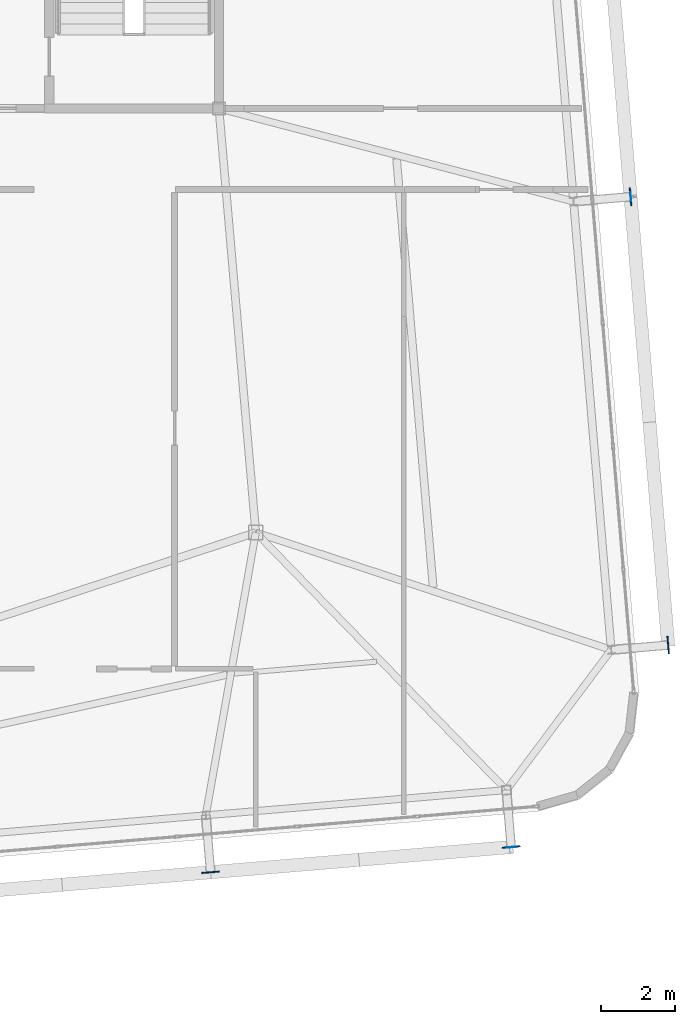
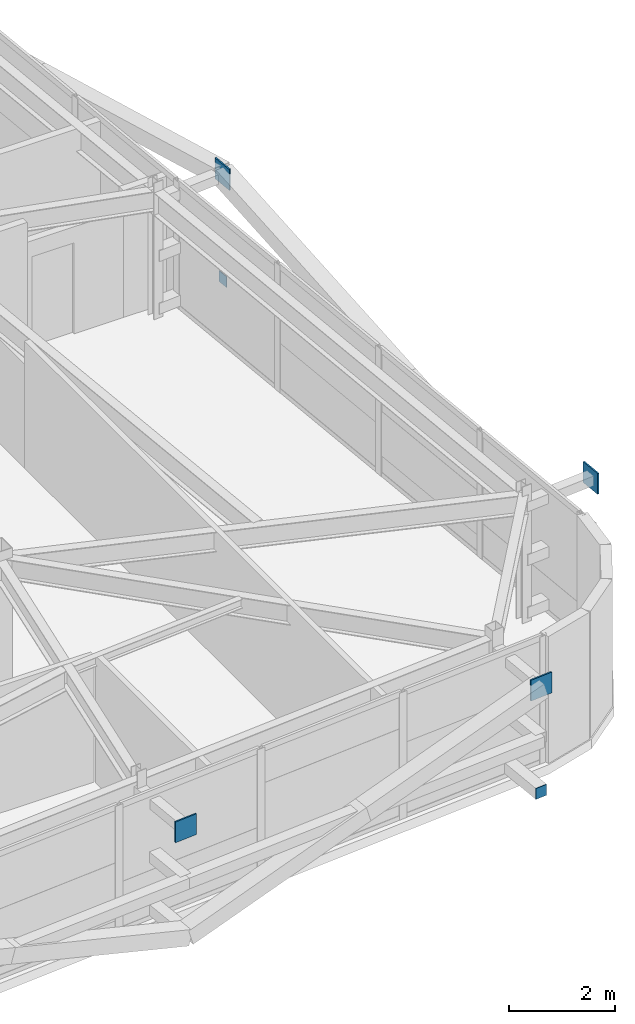
# One storey, part 37 of 44: 6 plates.
"""IFC4 building model written with IfcOpenShell, lengths in metres."""

import ifcopenshell
import ifcopenshell.guid

model = None  # the IFC model being written
_history = None  # IfcOwnerHistory: only IFC2X3 demands one
_inside = {}  # id of a spatial element -> (the spatial element, [elements in it])
_under = {}  # id of a project, library or spatial element -> (it, [spatial elements below it])
_declared = {}  # id of a project -> (the project, [libraries it declares])
_typed = {}  # id of a type object -> (the type object, [elements of that type])
_made_of = {}  # id of a material, layer set ... -> (it, [elements and type objects made of it])


def new_model(schema):
    """Start an empty IFC model of exactly this schema.

    Asked for "IFC4X3", IfcOpenShell would pick the latest addendum, in which some entities
    have other attributes; the version numbers below select the first issue.
    IFC2X3 requires an IfcOwnerHistory on every rooted entity: one is made here for all.
    """
    global model, _history
    if schema == "IFC4X3":
        model = ifcopenshell.file(schema_version=(4, 3, 0, 0))
    else:
        model = ifcopenshell.file(schema=schema)
    _inside.clear()
    _under.clear()
    _declared.clear()
    _typed.clear()
    _made_of.clear()
    _history = None
    if model.schema == "IFC2X3":
        org = make("IfcOrganization", Name="unknown")
        user = make(
            "IfcPersonAndOrganization",
            ThePerson=make("IfcPerson", FamilyName="unknown"),
            TheOrganization=org,
        )
        app = make(
            "IfcApplication",
            ApplicationDeveloper=org,
            Version="unknown",
            ApplicationFullName="unknown",
            ApplicationIdentifier="unknown",
        )
        _history = make(
            "IfcOwnerHistory",
            OwningUser=user,
            OwningApplication=app,
            ChangeAction="ADDED",
            CreationDate=0,
        )
    return model


def make(cls, **values):
    """One entity of the class cls with the attributes given. An attribute that is None is left unset."""
    return model.create_entity(
        cls, **{name: value for name, value in values.items() if value is not None}
    )


def rooted(cls, **values):
    """An entity with a GlobalId (a new one), such as an element, a storey or a relation."""
    return make(cls, GlobalId=ifcopenshell.guid.new(), OwnerHistory=_history, **values)


def si_unit(unit_type, name, prefix=None):
    """IfcSIUnit, for example si_unit("LENGTHUNIT", "METRE", prefix="MILLI")."""
    return make("IfcSIUnit", UnitType=unit_type, Prefix=prefix, Name=name)


def assignment(units):
    """IfcUnitAssignment: the units of a project."""
    return None if units is None else make("IfcUnitAssignment", Units=units)


def point(xyz):
    """IfcCartesianPoint."""
    return None if xyz is None else make("IfcCartesianPoint", Coordinates=xyz)


def direction(xyz):
    """IfcDirection."""
    return None if xyz is None else make("IfcDirection", DirectionRatios=xyz)


def frame(location, z_axis=None, x_axis=None):
    """IfcAxis2Placement3D, a coordinate frame: its origin and axes. An axis left out is left unset."""
    return make(
        "IfcAxis2Placement3D",
        Location=point(location),
        Axis=direction(z_axis),
        RefDirection=direction(x_axis),
    )


def frame_2d(location, x_axis=None):
    """IfcAxis2Placement2D, a coordinate frame in the plane: its origin and x axis."""
    return make(
        "IfcAxis2Placement2D", Location=point(location), RefDirection=direction(x_axis)
    )


def origin():
    """The frame at (0, 0, 0) with its axes left unset."""
    return frame((0.0, 0.0, 0.0))


def origin_2d():
    """The frame at (0, 0) in the plane with its x axis left unset."""
    return frame_2d((0.0, 0.0))


def place(relative_to, where):
    """IfcLocalPlacement: puts the frame where relative to a parent placement (None: the world)."""
    return make(
        "IfcLocalPlacement", PlacementRelTo=relative_to, RelativePlacement=where
    )


def context(
    kind, dimensions, precision=None, world=None, true_north=None, identifier=None
):
    """IfcGeometricRepresentationContext, for example the 3D "Model" context."""
    return make(
        "IfcGeometricRepresentationContext",
        ContextIdentifier=identifier,
        ContextType=kind,
        CoordinateSpaceDimension=dimensions,
        Precision=precision,
        WorldCoordinateSystem=world,
        TrueNorth=true_north,
    )


def subcontext(parent, identifier, kind, view, scale=None):
    """IfcGeometricRepresentationSubContext, for example "Body" below "Model"."""
    return make(
        "IfcGeometricRepresentationSubContext",
        ContextIdentifier=identifier,
        ContextType=kind,
        ParentContext=parent,
        TargetScale=scale,
        TargetView=view,
    )


def project(units=None, contexts=None):
    """IfcProject with its units and contexts."""
    return rooted(
        "IfcProject",
        Name="project",
        RepresentationContexts=contexts,
        UnitsInContext=assignment(units),
    )


def spatial(cls, under=None, at=None, **own):
    """A site, building, storey or space (cls), placed at a placement, below another one or the project."""
    s = rooted(cls, ObjectPlacement=at, **own)
    if under is not None:
        _under.setdefault(under.id(), (under, []))[1].append(s)
    return s


def profile(cls, at=None, kind="AREA", **sizes):
    """A parametric profile (cls). Its sizes go by their IFC names, for example OverallWidth=200.0."""
    return make(cls, ProfileType=kind, Position=at, **sizes)


def rectangle(**sizes):
    """IfcRectangleProfileDef."""
    return profile("IfcRectangleProfileDef", **sizes)


def extrude(swept, where, along, depth):
    """IfcExtrudedAreaSolid: the profile swept, set in the frame where, extruded along a direction by depth."""
    return make(
        "IfcExtrudedAreaSolid",
        SweptArea=swept,
        Position=where,
        ExtrudedDirection=direction(along),
        Depth=depth,
    )


def shape(context_of_items, identifier, shape_type, items):
    """IfcShapeRepresentation: the items that make up one representation, for example the "Body"."""
    return make(
        "IfcShapeRepresentation",
        ContextOfItems=context_of_items,
        RepresentationIdentifier=identifier,
        RepresentationType=shape_type,
        Items=items,
    )


def source(mapping_origin, context_of_items, identifier, shape_type, items):
    """IfcRepresentationMap: a shape defined once, which mapped items show again and again."""
    return make(
        "IfcRepresentationMap",
        MappingOrigin=mapping_origin,
        MappedRepresentation=shape(context_of_items, identifier, shape_type, items),
    )


def transform(
    local_origin,
    x_axis=None,
    y_axis=None,
    z_axis=None,
    scale=None,
    scale2=None,
    scale3=None,
    uniform=True,
):
    """IfcCartesianTransformationOperator3D, or its non-uniform kind. x_axis, y_axis, z_axis: its Axis1, 2, 3."""
    if uniform:
        return make(
            "IfcCartesianTransformationOperator3D",
            Axis1=direction(x_axis),
            Axis2=direction(y_axis),
            LocalOrigin=point(local_origin),
            Scale=scale,
            Axis3=direction(z_axis),
        )
    return make(
        "IfcCartesianTransformationOperator3DnonUniform",
        Axis1=direction(x_axis),
        Axis2=direction(y_axis),
        LocalOrigin=point(local_origin),
        Scale=scale,
        Axis3=direction(z_axis),
        Scale2=scale2,
        Scale3=scale3,
    )


def mapped(mapping_source, mapping_target):
    """IfcMappedItem: shows the shape of a source again, moved by a transform."""
    return make(
        "IfcMappedItem", MappingSource=mapping_source, MappingTarget=mapping_target
    )


def material(Name=None, Category=None):
    """IfcMaterial."""
    return make("IfcMaterial", Name=Name, Category=Category)


def layer(
    of_material, thickness, ventilated=None, Name=None, Category=None, Priority=None
):
    """IfcMaterialLayer: one layer of a wall or slab, of a material (None: an air gap)."""
    return make(
        "IfcMaterialLayer",
        Material=of_material,
        LayerThickness=thickness,
        IsVentilated=ventilated,
        Name=Name,
        Category=Category,
        Priority=Priority,
    )


def layer_set(layers, Name=None):
    """IfcMaterialLayerSet."""
    return make("IfcMaterialLayerSet", MaterialLayers=layers, LayerSetName=Name)


def made_of(thing, what):
    """Note that an element or type object is made of a material, layer set ...; save() writes the relation."""
    if what is not None:
        _made_of.setdefault(what.id(), (what, []))[1].append(thing)
    return thing


def type_object(cls, material=None, **own):
    """A type object (cls), such as IfcWallType, which elements share."""
    return made_of(rooted(cls, **own), material)


def element(
    cls,
    number,
    at=None,
    inside=None,
    cuts=None,
    type_object=None,
    material=None,
    context=None,
    identifier="Body",
    shape_type=None,
    held_by="IfcProductDefinitionShape",
    body=None,
    shapes=None,
    **own,
):
    """One element of the class cls, such as IfcWall. Its Tag is "e" and its number.

    at: its placement. inside: the storey or other place that contains it. cuts: it is an
    opening in that element (IfcRelVoidsElement). A single representation is given by context,
    identifier, shape_type and body (its items); several are given by shapes. held_by: the class
    of the entity that holds the representations. save() writes the other relations.
    """
    e = rooted(cls, Tag="e%d" % number, ObjectPlacement=at, **own)
    if body is not None:
        shapes = [shape(context, identifier, shape_type, body)]
    if shapes is not None:
        e.Representation = make(held_by, Representations=shapes)
    if inside is not None:
        _inside.setdefault(inside.id(), (inside, []))[1].append(e)
    if cuts is not None:
        rooted(
            "IfcRelVoidsElement", RelatingBuildingElement=cuts, RelatedOpeningElement=e
        )
    if type_object is not None:
        _typed.setdefault(type_object.id(), (type_object, []))[1].append(e)
    return made_of(e, material)


def aggregate(whole, parts):
    """IfcRelAggregates: a whole, such as a stair, and the parts it consists of."""
    return rooted("IfcRelAggregates", RelatingObject=whole, RelatedObjects=parts)


def save(model, path):
    """Write the relations noted so far, then the file.

    IfcRelAggregates (storeys below a building ...), IfcRelContainedInSpatialStructure (elements
    in a storey), IfcRelDefinesByType, IfcRelAssociatesMaterial and IfcRelDeclares: one each for
    every whole, place, type object, material and project.
    """
    for whole, parts in _under.values():
        aggregate(whole, parts)
    for where, things in _inside.values():
        rooted(
            "IfcRelContainedInSpatialStructure",
            RelatedElements=things,
            RelatingStructure=where,
        )
    for kind, things in _typed.values():
        rooted("IfcRelDefinesByType", RelatedObjects=things, RelatingType=kind)
    for what, things in _made_of.values():
        rooted("IfcRelAssociatesMaterial", RelatedObjects=things, RelatingMaterial=what)
    for by, libraries in _declared.values():
        rooted("IfcRelDeclares", RelatingContext=by, RelatedDefinitions=libraries)
    model.write(path)


model = new_model("IFC4")

# Units and contexts
model_context = context("Model", 3, precision=1e-05, world=origin(), true_north=direction((0.0, 1.0)))
body_context = subcontext(model_context, "Body", "Model", "MODEL_VIEW")
ifc_project = project(units=[si_unit("LENGTHUNIT", "METRE"), si_unit("AREAUNIT", "SQUARE_METRE"), si_unit("VOLUMEUNIT", "CUBIC_METRE"), si_unit("PLANEANGLEUNIT", "RADIAN"), si_unit("MASSUNIT", "GRAM", prefix="KILO")], contexts=[model_context])

# Site, building, storey
site_placement = place(None, origin())
site = spatial("IfcSite", under=ifc_project, at=site_placement, CompositionType="ELEMENT")
building_placement = place(site_placement, origin())
building = spatial("IfcBuilding", under=site, at=building_placement, Name="Taldren Reach Tower", CompositionType="ELEMENT")
storey_placement = place(building_placement, frame((0.0, 0.0, 191.449951171875)))
storey = spatial("IfcBuildingStorey", under=building, at=storey_placement, Name="L58", CompositionType="ELEMENT", Elevation=191.449951171875)

# Plates
ifc_material_1 = material(Name="Steel Gr 350 (C350L0)", Category="steel")
ifc_layer_1 = layer(ifc_material_1, 0.011962890625)
ifc_layer_set_1 = layer_set([ifc_layer_1], Name="Steel Gr 350 (C350L0)")
plate_type_1 = type_object("IfcPlateType", Name="PL-CAP-250", PredefinedType="SHEET", material=ifc_layer_set_1)
shared_shape_1 = source(origin(), body_context, "Body", "SweptSolid", [
    extrude(rectangle(XDim=0.25, YDim=0.011962890625, at=origin_2d()), origin(), (0.0, 0.0, 1.0), 0.25),
])
plate_1_placement = place(storey_placement, frame((58.926513671875, 3.9658203125, 0.094970703125), z_axis=(0.0, 0.0, 1.0), x_axis=(0.99649285925, 0.083677843332, 0.0)))
element("IfcPlate", 1, at=plate_1_placement, inside=storey, type_object=plate_type_1, Name="Tie strut end cap plate B4-S6 L58", PredefinedType="SHEET", context=body_context, shape_type="MappedRepresentation", body=[
    mapped(shared_shape_1, transform((0.0, 0.0, 0.0), scale=1.0)),
])
shared_shape_2 = source(origin(), body_context, "Body", "SweptSolid", [
    extrude(rectangle(XDim=0.011962890625, YDim=0.25, at=origin_2d()), origin(), (0.0, 0.0, 1.0), 0.25),
])
plate_2_placement = place(storey_placement, frame((62.167724609375, 21.60498046875, 0.094970703125), z_axis=(0.0, 0.0, 1.0), x_axis=(0.99649285925, 0.083677843332, 0.0)))
element("IfcPlate", 2, at=plate_2_placement, inside=storey, type_object=plate_type_1, Name="Tie strut end cap plate B4-E2 L58", PredefinedType="SHEET", context=body_context, shape_type="MappedRepresentation", body=[
    mapped(shared_shape_2, transform((0.0, 0.0, 0.0), scale=1.0)),
])
ifc_material_2 = material(Name="Steel Gr 450 (C450L0)", Category="steel")
ifc_layer_2 = layer(ifc_material_2, 0.031982421875)
ifc_layer_set_2 = layer_set([ifc_layer_2], Name="Steel Gr 450 (C450L0)")
plate_type_2 = type_object("IfcPlateType", Name="PL-GUSSET-32", PredefinedType="SHEET", material=ifc_layer_set_2)
shared_shape_3 = source(origin(), body_context, "Body", "SweptSolid", [
    extrude(rectangle(XDim=0.47998046875, YDim=0.031982421875, at=origin_2d()), origin(), (0.0, 0.0, 1.0), 0.47998046875),
])
for number, where, z_axis, x_axis, name in (
    (3, (50.774658203125, 3.287353515625, 2.41015625), (0.0, 0.0, 1.0), (0.99649285925, 0.083677843332, 0.0), "Exoskeleton star-node gusset plate B4-S5 L58"),
    (4, (58.926025390625, 3.971923828125, 2.41015625), (0.0, 0.0, 1.0), (0.99649285925, 0.083677843332, 0.0), "Exoskeleton star-node gusset plate B4-S6 L58"),
    (5, (63.1826171875, 9.447265625, 2.41015625), (0.0, 0.0, 1.0), (-0.083677843332, 0.99649285925, 0.0), "Exoskeleton star-node gusset plate B4-E1 L58"),
    (6, (62.161865234375, 21.6044921875, 2.41015625), (0.0, 0.0, 1.0), (-0.083677843332, 0.99649285925, 0.0), "Exoskeleton star-node gusset plate B4-E2 L58"),
):
    element("IfcPlate", number, at=place(storey_placement, frame(where, z_axis=z_axis, x_axis=x_axis)), inside=storey, type_object=plate_type_2, Name=name, PredefinedType="SHEET", context=body_context, shape_type="MappedRepresentation", body=[
        mapped(shared_shape_3, transform((0.0, 0.0, 0.0), scale=1.0)),
    ])

save(model, "model.ifc")
